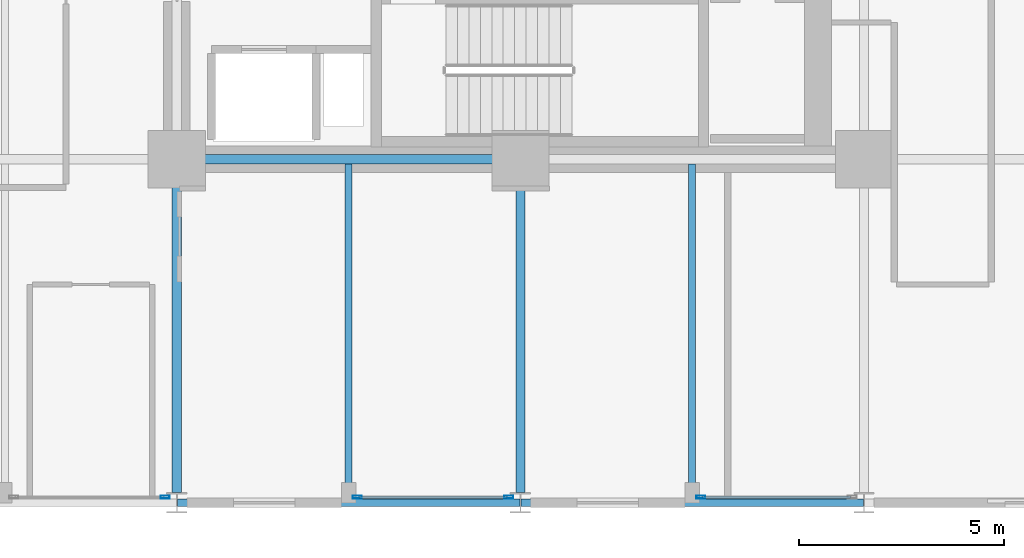
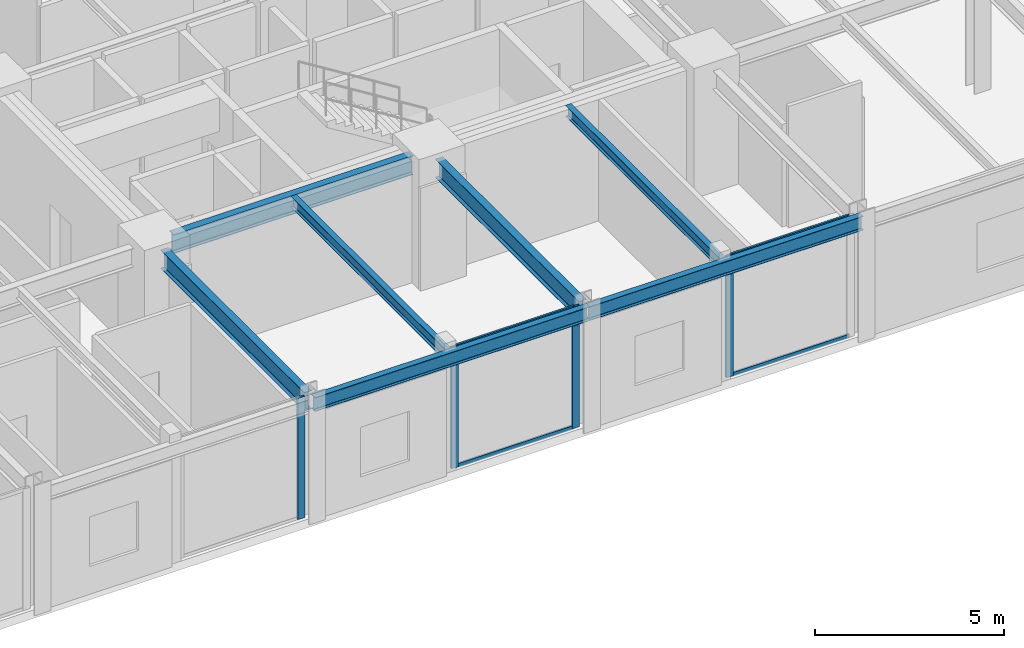
# One storey, part 4 of 24: 8 members, 7 beams, 3 elements without a shape of their own.
"""IFC4 building model written with IfcOpenShell, lengths in metres."""

import ifcopenshell
import ifcopenshell.guid

model = None  # the IFC model being written
_history = None  # IfcOwnerHistory: only IFC2X3 demands one
_inside = {}  # id of a spatial element -> (the spatial element, [elements in it])
_under = {}  # id of a project, library or spatial element -> (it, [spatial elements below it])
_declared = {}  # id of a project -> (the project, [libraries it declares])
_typed = {}  # id of a type object -> (the type object, [elements of that type])
_made_of = {}  # id of a material, layer set ... -> (it, [elements and type objects made of it])


def new_model(schema):
    """Start an empty IFC model of exactly this schema.

    Asked for "IFC4X3", IfcOpenShell would pick the latest addendum, in which some entities
    have other attributes; the version numbers below select the first issue.
    IFC2X3 requires an IfcOwnerHistory on every rooted entity: one is made here for all.
    """
    global model, _history
    if schema == "IFC4X3":
        model = ifcopenshell.file(schema_version=(4, 3, 0, 0))
    else:
        model = ifcopenshell.file(schema=schema)
    _inside.clear()
    _under.clear()
    _declared.clear()
    _typed.clear()
    _made_of.clear()
    _history = None
    if model.schema == "IFC2X3":
        org = make("IfcOrganization", Name="unknown")
        user = make(
            "IfcPersonAndOrganization",
            ThePerson=make("IfcPerson", FamilyName="unknown"),
            TheOrganization=org,
        )
        app = make(
            "IfcApplication",
            ApplicationDeveloper=org,
            Version="unknown",
            ApplicationFullName="unknown",
            ApplicationIdentifier="unknown",
        )
        _history = make(
            "IfcOwnerHistory",
            OwningUser=user,
            OwningApplication=app,
            ChangeAction="ADDED",
            CreationDate=0,
        )
    return model


def make(cls, **values):
    """One entity of the class cls with the attributes given. An attribute that is None is left unset."""
    return model.create_entity(
        cls, **{name: value for name, value in values.items() if value is not None}
    )


def rooted(cls, **values):
    """An entity with a GlobalId (a new one), such as an element, a storey or a relation."""
    return make(cls, GlobalId=ifcopenshell.guid.new(), OwnerHistory=_history, **values)


def si_unit(unit_type, name, prefix=None):
    """IfcSIUnit, for example si_unit("LENGTHUNIT", "METRE", prefix="MILLI")."""
    return make("IfcSIUnit", UnitType=unit_type, Prefix=prefix, Name=name)


def assignment(units):
    """IfcUnitAssignment: the units of a project."""
    return None if units is None else make("IfcUnitAssignment", Units=units)


def point(xyz):
    """IfcCartesianPoint."""
    return None if xyz is None else make("IfcCartesianPoint", Coordinates=xyz)


def direction(xyz):
    """IfcDirection."""
    return None if xyz is None else make("IfcDirection", DirectionRatios=xyz)


def frame(location, z_axis=None, x_axis=None):
    """IfcAxis2Placement3D, a coordinate frame: its origin and axes. An axis left out is left unset."""
    return make(
        "IfcAxis2Placement3D",
        Location=point(location),
        Axis=direction(z_axis),
        RefDirection=direction(x_axis),
    )


def frame_2d(location, x_axis=None):
    """IfcAxis2Placement2D, a coordinate frame in the plane: its origin and x axis."""
    return make(
        "IfcAxis2Placement2D", Location=point(location), RefDirection=direction(x_axis)
    )


def origin():
    """The frame at (0, 0, 0) with its axes left unset."""
    return frame((0.0, 0.0, 0.0))


def origin_2d():
    """The frame at (0, 0) in the plane with its x axis left unset."""
    return frame_2d((0.0, 0.0))


def place(relative_to, where):
    """IfcLocalPlacement: puts the frame where relative to a parent placement (None: the world)."""
    return make(
        "IfcLocalPlacement", PlacementRelTo=relative_to, RelativePlacement=where
    )


def context(
    kind, dimensions, precision=None, world=None, true_north=None, identifier=None
):
    """IfcGeometricRepresentationContext, for example the 3D "Model" context."""
    return make(
        "IfcGeometricRepresentationContext",
        ContextIdentifier=identifier,
        ContextType=kind,
        CoordinateSpaceDimension=dimensions,
        Precision=precision,
        WorldCoordinateSystem=world,
        TrueNorth=true_north,
    )


def subcontext(parent, identifier, kind, view, scale=None):
    """IfcGeometricRepresentationSubContext, for example "Body" below "Model"."""
    return make(
        "IfcGeometricRepresentationSubContext",
        ContextIdentifier=identifier,
        ContextType=kind,
        ParentContext=parent,
        TargetScale=scale,
        TargetView=view,
    )


def project(units=None, contexts=None):
    """IfcProject with its units and contexts."""
    return rooted(
        "IfcProject",
        Name="project",
        RepresentationContexts=contexts,
        UnitsInContext=assignment(units),
    )


def spatial(cls, under=None, at=None, **own):
    """A site, building, storey or space (cls), placed at a placement, below another one or the project."""
    s = rooted(cls, ObjectPlacement=at, **own)
    if under is not None:
        _under.setdefault(under.id(), (under, []))[1].append(s)
    return s


def profile(cls, at=None, kind="AREA", **sizes):
    """A parametric profile (cls). Its sizes go by their IFC names, for example OverallWidth=200.0."""
    return make(cls, ProfileType=kind, Position=at, **sizes)


def hollow_rectangle(**sizes):
    """IfcRectangleHollowProfileDef."""
    return profile("IfcRectangleHollowProfileDef", **sizes)


def i_section(**sizes):
    """IfcIShapeProfileDef."""
    return profile("IfcIShapeProfileDef", **sizes)


def extrude(swept, where, along, depth):
    """IfcExtrudedAreaSolid: the profile swept, set in the frame where, extruded along a direction by depth."""
    return make(
        "IfcExtrudedAreaSolid",
        SweptArea=swept,
        Position=where,
        ExtrudedDirection=direction(along),
        Depth=depth,
    )


def shape(context_of_items, identifier, shape_type, items):
    """IfcShapeRepresentation: the items that make up one representation, for example the "Body"."""
    return make(
        "IfcShapeRepresentation",
        ContextOfItems=context_of_items,
        RepresentationIdentifier=identifier,
        RepresentationType=shape_type,
        Items=items,
    )


def material(Name=None, Category=None):
    """IfcMaterial."""
    return make("IfcMaterial", Name=Name, Category=Category)


def layer(
    of_material, thickness, ventilated=None, Name=None, Category=None, Priority=None
):
    """IfcMaterialLayer: one layer of a wall or slab, of a material (None: an air gap)."""
    return make(
        "IfcMaterialLayer",
        Material=of_material,
        LayerThickness=thickness,
        IsVentilated=ventilated,
        Name=Name,
        Category=Category,
        Priority=Priority,
    )


def layer_set(layers, Name=None):
    """IfcMaterialLayerSet."""
    return make("IfcMaterialLayerSet", MaterialLayers=layers, LayerSetName=Name)


def material_profile(
    of_material, cross_section, Name=None, Category=None, Priority=None
):
    """IfcMaterialProfile: a cross section and its material."""
    return make(
        "IfcMaterialProfile",
        Name=Name,
        Material=of_material,
        Profile=cross_section,
        Priority=Priority,
        Category=Category,
    )


def profile_set(profiles, Name=None, composite=None):
    """IfcMaterialProfileSet."""
    return make(
        "IfcMaterialProfileSet",
        Name=Name,
        MaterialProfiles=profiles,
        CompositeProfile=composite,
    )


def made_of(thing, what):
    """Note that an element or type object is made of a material, layer set ...; save() writes the relation."""
    if what is not None:
        _made_of.setdefault(what.id(), (what, []))[1].append(thing)
    return thing


def type_object(cls, material=None, **own):
    """A type object (cls), such as IfcWallType, which elements share."""
    return made_of(rooted(cls, **own), material)


def element(
    cls,
    number,
    at=None,
    inside=None,
    cuts=None,
    type_object=None,
    material=None,
    context=None,
    identifier="Body",
    shape_type=None,
    held_by="IfcProductDefinitionShape",
    body=None,
    shapes=None,
    **own,
):
    """One element of the class cls, such as IfcWall. Its Tag is "e" and its number.

    at: its placement. inside: the storey or other place that contains it. cuts: it is an
    opening in that element (IfcRelVoidsElement). A single representation is given by context,
    identifier, shape_type and body (its items); several are given by shapes. held_by: the class
    of the entity that holds the representations. save() writes the other relations.
    """
    e = rooted(cls, Tag="e%d" % number, ObjectPlacement=at, **own)
    if body is not None:
        shapes = [shape(context, identifier, shape_type, body)]
    if shapes is not None:
        e.Representation = make(held_by, Representations=shapes)
    if inside is not None:
        _inside.setdefault(inside.id(), (inside, []))[1].append(e)
    if cuts is not None:
        rooted(
            "IfcRelVoidsElement", RelatingBuildingElement=cuts, RelatedOpeningElement=e
        )
    if type_object is not None:
        _typed.setdefault(type_object.id(), (type_object, []))[1].append(e)
    return made_of(e, material)


def aggregate(whole, parts):
    """IfcRelAggregates: a whole, such as a stair, and the parts it consists of."""
    return rooted("IfcRelAggregates", RelatingObject=whole, RelatedObjects=parts)


def save(model, path):
    """Write the relations noted so far, then the file.

    IfcRelAggregates (storeys below a building ...), IfcRelContainedInSpatialStructure (elements
    in a storey), IfcRelDefinesByType, IfcRelAssociatesMaterial and IfcRelDeclares: one each for
    every whole, place, type object, material and project.
    """
    for whole, parts in _under.values():
        aggregate(whole, parts)
    for where, things in _inside.values():
        rooted(
            "IfcRelContainedInSpatialStructure",
            RelatedElements=things,
            RelatingStructure=where,
        )
    for kind, things in _typed.values():
        rooted("IfcRelDefinesByType", RelatedObjects=things, RelatingType=kind)
    for what, things in _made_of.values():
        rooted("IfcRelAssociatesMaterial", RelatedObjects=things, RelatingMaterial=what)
    for by, libraries in _declared.values():
        rooted("IfcRelDeclares", RelatingContext=by, RelatedDefinitions=libraries)
    model.write(path)


model = new_model("IFC4")

# Units and contexts
model_context = context("Model", 3, precision=1e-05, world=origin(), true_north=direction((0.0, 1.0)))
body_context = subcontext(model_context, "Body", "Model", "MODEL_VIEW")
ifc_project = project(units=[si_unit("LENGTHUNIT", "METRE"), si_unit("AREAUNIT", "SQUARE_METRE"), si_unit("VOLUMEUNIT", "CUBIC_METRE"), si_unit("PLANEANGLEUNIT", "RADIAN"), si_unit("MASSUNIT", "GRAM", prefix="KILO")], contexts=[model_context])

# Site, building, storey
site_placement = place(None, origin())
site = spatial("IfcSite", under=ifc_project, at=site_placement, CompositionType="ELEMENT")
building_placement = place(site_placement, origin())
building = spatial("IfcBuilding", under=site, at=building_placement, Name="Nerrivon Quay Data Exchange", CompositionType="ELEMENT")
storey_placement = place(building_placement, frame((0.0, 0.0, 37.39990234375)))
storey = spatial("IfcBuildingStorey", under=building, at=storey_placement, Name="L08", CompositionType="ELEMENT", Elevation=37.39990234375)

# Beams
ifc_material_1 = material(Name="Steel Grade 350", Category="steel")
ifc_material_profile_1 = material_profile(ifc_material_1, i_section(OverallWidth=0.22900390625, OverallDepth=0.612060546875, WebThickness=0.011962890625, FlangeThickness=0.01953125, FilletRadius=0.013916015625, at=origin_2d()), Name="610UB125")
ifc_profile_set_1 = profile_set([ifc_material_profile_1], Name="Steel Grade 350")
beam_type_1 = type_object("IfcBeamType", Name="BM-G1-610UB125", PredefinedType="BEAM", material=ifc_profile_set_1)
beam_1_placement = place(storey_placement, frame((17.340087890625, 8.39990234375, 3.619140625), z_axis=(1.0, 0.0, 0.0), x_axis=(0.0, 1.0, 0.0)))
element("IfcBeam", 1, at=beam_1_placement, inside=storey, type_object=beam_type_1, Name="L08 EW Girder Y=8.4 (16.8..25.2)", PredefinedType="BEAM", context=body_context, shape_type="SweptSolid", body=[
    extrude(i_section(OverallWidth=0.22900390625, OverallDepth=0.612060546875, WebThickness=0.011962890625, FlangeThickness=0.01953125, FilletRadius=0.013916015625, at=origin_2d()), origin(), (0.0, 0.0, 1.0), 7.31982421875),
])
ifc_material_profile_2 = material_profile(ifc_material_1, i_section(OverallWidth=0.22802734375, OverallDepth=0.60205078125, WebThickness=0.010498046875, FlangeThickness=0.014892578125, FilletRadius=0.013916015625, at=origin_2d()), Name="610UB101")
ifc_profile_set_2 = profile_set([ifc_material_profile_2], Name="Steel Grade 350")
beam_type_2 = type_object("IfcBeamType", Name="BM-G2-610UB101", PredefinedType="BEAM", material=ifc_profile_set_2)
for number, where, z_axis, x_axis, name in (
    (2, (16.800048828125, 0.25, 3.6240234375), (0.0, 1.0, 0.0), (-1.0, 0.0, 0.0), "L08 NS Girder X=16.8 (0.0..8.4)"),
    (3, (25.199951171875, 0.25, 3.6240234375), (0.0, 1.0, 0.0), (-1.0, 0.0, 0.0), "L08 NS Girder X=25.2 (0.0..8.4)"),
):
    element("IfcBeam", number, at=place(storey_placement, frame(where, z_axis=z_axis, x_axis=x_axis)), inside=storey, type_object=beam_type_2, Name=name, PredefinedType="BEAM", context=body_context, shape_type="SweptSolid", body=[
        extrude(i_section(OverallWidth=0.22802734375, OverallDepth=0.60205078125, WebThickness=0.010498046875, FlangeThickness=0.014892578125, FilletRadius=0.013916015625, at=origin_2d()), origin(), (0.0, 0.0, 1.0), 7.610107421875),
    ])
ifc_material_profile_3 = material_profile(ifc_material_1, i_section(OverallWidth=0.172119140625, OverallDepth=0.35888671875, WebThickness=0.008056640625, FlangeThickness=0.012939453125, FilletRadius=0.011474609375, at=origin_2d()), Name="360UB56.7")
ifc_profile_set_3 = profile_set([ifc_material_profile_3], Name="Steel Grade 350")
beam_type_3 = type_object("IfcBeamType", Name="BM-J3-360UB57", PredefinedType="JOIST", material=ifc_profile_set_3)
for number, where, z_axis, x_axis, name in (
    (4, (21.0, 0.094970703125, 3.74560546875), (0.0, 1.0, 0.0), (-1.0, 0.0, 0.0), "L08 Secondary Joist X=21.0 (0.0..8.4)"),
    (5, (29.39990234375, 0.094970703125, 3.74560546875), (0.0, 1.0, 0.0), (-1.0, 0.0, 0.0), "L08 Secondary Joist X=29.4 (0.0..8.4)"),
):
    element("IfcBeam", number, at=place(storey_placement, frame(where, z_axis=z_axis, x_axis=x_axis)), inside=storey, type_object=beam_type_3, Name=name, PredefinedType="JOIST", context=body_context, shape_type="SweptSolid", body=[
        extrude(i_section(OverallWidth=0.172119140625, OverallDepth=0.35888671875, WebThickness=0.008056640625, FlangeThickness=0.012939453125, FilletRadius=0.011474609375, at=origin_2d()), origin(), (0.0, 0.0, 1.0), 8.1904296875),
    ])
ifc_material_profile_4 = material_profile(ifc_material_1, i_section(OverallWidth=0.18994140625, OverallDepth=0.4541015625, WebThickness=0.008544921875, FlangeThickness=0.0126953125, FilletRadius=0.011474609375, at=origin_2d()), Name="460UB67.1")
ifc_profile_set_4 = profile_set([ifc_material_profile_4], Name="Steel Grade 350")
beam_type_4 = type_object("IfcBeamType", Name="BM-SP1-460UB67", PredefinedType="SPANDREL", material=ifc_profile_set_4)
beam_2_placement = place(storey_placement, frame((16.81396484375, 0.0, 3.697998046875), z_axis=(1.0, 0.0, 0.0), x_axis=(0.0, 1.0, 0.0)))
element("IfcBeam", 6, at=beam_2_placement, inside=storey, type_object=beam_type_4, Name="L08 EW Girder Y=0.0 (16.8..25.2)", PredefinedType="SPANDREL", context=body_context, shape_type="SweptSolid", body=[
    extrude(i_section(OverallWidth=0.18994140625, OverallDepth=0.4541015625, WebThickness=0.008544921875, FlangeThickness=0.0126953125, FilletRadius=0.011474609375, at=origin_2d()), origin(), (0.0, 0.0, 1.0), 8.3720703125),
])
beam_3_placement = place(storey_placement, frame((25.214111328125, 0.0, 3.697998046875), z_axis=(1.0, 0.0, 0.0), x_axis=(0.0, 1.0, 0.0)))
element("IfcBeam", 7, at=beam_3_placement, inside=storey, type_object=beam_type_4, Name="L08 EW Girder Y=0.0 (25.2..33.6)", PredefinedType="SPANDREL", context=body_context, shape_type="SweptSolid", body=[
    extrude(i_section(OverallWidth=0.18994140625, OverallDepth=0.4541015625, WebThickness=0.008544921875, FlangeThickness=0.0126953125, FilletRadius=0.011474609375, at=origin_2d()), origin(), (0.0, 0.0, 1.0), 8.371826171875),
])

# Curtain wall, member
ifc_material_2 = material(Name="Anodised aluminium 6063-T6", Category="aluminium")
ifc_layer = layer(ifc_material_2, 0.219970703125)
ifc_layer_set = layer_set([ifc_layer], Name="Anodised aluminium 6063-T6")
curtain_wall_type = type_object("IfcCurtainWallType", Name="CW-SYS-01", PredefinedType="NOTDEFINED", material=ifc_layer_set)
curtain_wall_1_placement = place(storey_placement, origin())
curtain_wall_1 = element("IfcCurtainWall", 8, at=curtain_wall_1_placement, inside=storey, type_object=curtain_wall_type, Name="L08 Unitised Curtain Wall 4", PredefinedType="NOTDEFINED")
ifc_material_profile_5 = material_profile(ifc_material_2, hollow_rectangle(XDim=0.074951171875, YDim=0.219970703125, WallThickness=0.00390625, at=origin_2d()), Name="ALU-MULL-220x75")
ifc_profile_set_5 = profile_set([ifc_material_profile_5], Name="Anodised aluminium 6063-T6")
member_type_1 = type_object("IfcMemberType", Name="CWM-220x75", PredefinedType="MULLION", material=ifc_profile_set_5)
member_1_placement = place(storey_placement, frame((29.612548828125, 0.139892578125, 0.0), z_axis=(0.0, 0.0, 1.0), x_axis=(0.0, -1.0, 0.0)))
member_1 = element("IfcMember", 9, at=member_1_placement, type_object=member_type_1, Name="CW01 mullion 2", PredefinedType="MULLION", context=body_context, shape_type="SweptSolid", body=[
    extrude(hollow_rectangle(XDim=0.074951171875, YDim=0.219970703125, WallThickness=0.00390625, at=origin_2d()), origin(), (0.0, 0.0, 1.0), 3.925048828125),
])

# Curtain wall, members
curtain_wall_2_placement = place(storey_placement, origin())
curtain_wall_2 = element("IfcCurtainWall", 10, at=curtain_wall_2_placement, inside=storey, type_object=curtain_wall_type, Name="L08 Unitised Curtain Wall 6", PredefinedType="NOTDEFINED")
member_2_placement = place(storey_placement, frame((24.91259765625, 0.139892578125, 0.0), z_axis=(0.0, 0.0, 1.0), x_axis=(0.0, -1.0, 0.0)))
member_2 = element("IfcMember", 11, at=member_2_placement, type_object=member_type_1, Name="CW01 mullion 1", PredefinedType="MULLION", context=body_context, shape_type="SweptSolid", body=[
    extrude(hollow_rectangle(XDim=0.074951171875, YDim=0.219970703125, WallThickness=0.00390625, at=origin_2d()), origin(), (0.0, 0.0, 1.0), 3.925048828125),
])
member_3_placement = place(storey_placement, frame((21.21240234375, 0.139892578125, 0.0), z_axis=(0.0, 0.0, 1.0), x_axis=(0.0, -1.0, 0.0)))
member_3 = element("IfcMember", 12, at=member_3_placement, type_object=member_type_1, Name="CW01 mullion 2", PredefinedType="MULLION", context=body_context, shape_type="SweptSolid", body=[
    extrude(hollow_rectangle(XDim=0.074951171875, YDim=0.219970703125, WallThickness=0.00390625, at=origin_2d()), origin(), (0.0, 0.0, 1.0), 3.925048828125),
])

# Curtain wall, member
curtain_wall_3_placement = place(storey_placement, origin())
curtain_wall_3 = element("IfcCurtainWall", 13, at=curtain_wall_3_placement, inside=storey, type_object=curtain_wall_type, Name="L08 Unitised Curtain Wall 8", PredefinedType="NOTDEFINED")
member_4_placement = place(storey_placement, frame((16.512451171875, 0.139892578125, 0.0), z_axis=(0.0, 0.0, 1.0), x_axis=(0.0, -1.0, 0.0)))
member_4 = element("IfcMember", 14, at=member_4_placement, type_object=member_type_1, Name="CW01 mullion 1", PredefinedType="MULLION", context=body_context, shape_type="SweptSolid", body=[
    extrude(hollow_rectangle(XDim=0.074951171875, YDim=0.219970703125, WallThickness=0.00390625, at=origin_2d()), origin(), (0.0, 0.0, 1.0), 3.925048828125),
])
aggregate(curtain_wall_3, [member_4])

# Member
ifc_material_profile_6 = material_profile(ifc_material_2, hollow_rectangle(XDim=0.06005859375, YDim=0.1201171875, WallThickness=0.003173828125, at=origin_2d()), Name="ALU-TRAN-120x60")
ifc_profile_set_6 = profile_set([ifc_material_profile_6], Name="Anodised aluminium 6063-T6")
member_type_2 = type_object("IfcMemberType", Name="CWT-120x60", PredefinedType="USERDEFINED", material=ifc_profile_set_6)
member_5_placement = place(storey_placement, frame((33.27490234375, 0.139892578125, 0.03271484375), z_axis=(-1.0, 0.0, 0.0), x_axis=(0.0, -1.0, 0.0)))
member_5 = element("IfcMember", 15, at=member_5_placement, type_object=member_type_2, Name="CW01 transom 1.1", ObjectType="TRANSOM", PredefinedType="USERDEFINED", context=body_context, shape_type="SweptSolid", body=[
    extrude(hollow_rectangle(XDim=0.06005859375, YDim=0.1201171875, WallThickness=0.003173828125, at=origin_2d()), origin(), (0.0, 0.0, 1.0), 3.625),
])

member_6_placement = place(storey_placement, frame((33.27490234375, 0.139892578125, 3.892578125), z_axis=(-1.0, 0.0, 0.0), x_axis=(0.0, -1.0, 0.0)))
member_6 = element("IfcMember", 16, at=member_6_placement, type_object=member_type_2, Name="CW01 transom 1.2", ObjectType="TRANSOM", PredefinedType="USERDEFINED", context=body_context, shape_type="SweptSolid", body=[
    extrude(hollow_rectangle(XDim=0.06005859375, YDim=0.1201171875, WallThickness=0.003173828125, at=origin_2d()), origin(), (0.0, 0.0, 1.0), 3.625),
])

aggregate(curtain_wall_1, [member_1, member_5, member_6])

member_7_placement = place(storey_placement, frame((24.875, 0.139892578125, 0.03271484375), z_axis=(-1.0, 0.0, 0.0), x_axis=(0.0, -1.0, 0.0)))
member_7 = element("IfcMember", 17, at=member_7_placement, type_object=member_type_2, Name="CW01 transom 1.1", ObjectType="TRANSOM", PredefinedType="USERDEFINED", context=body_context, shape_type="SweptSolid", body=[
    extrude(hollow_rectangle(XDim=0.06005859375, YDim=0.1201171875, WallThickness=0.003173828125, at=origin_2d()), origin(), (0.0, 0.0, 1.0), 3.625),
])

member_8_placement = place(storey_placement, frame((24.875, 0.139892578125, 3.892578125), z_axis=(-1.0, 0.0, 0.0), x_axis=(0.0, -1.0, 0.0)))
member_8 = element("IfcMember", 18, at=member_8_placement, type_object=member_type_2, Name="CW01 transom 1.2", ObjectType="TRANSOM", PredefinedType="USERDEFINED", context=body_context, shape_type="SweptSolid", body=[
    extrude(hollow_rectangle(XDim=0.06005859375, YDim=0.1201171875, WallThickness=0.003173828125, at=origin_2d()), origin(), (0.0, 0.0, 1.0), 3.625),
])

aggregate(curtain_wall_2, [member_2, member_3, member_7, member_8])

save(model, "model.ifc")
